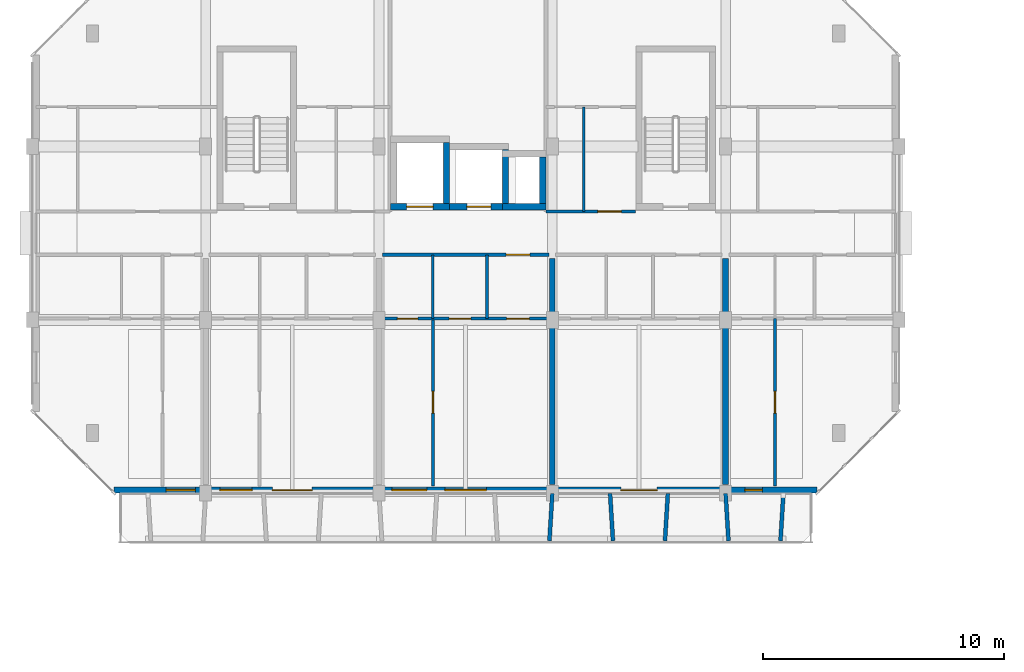
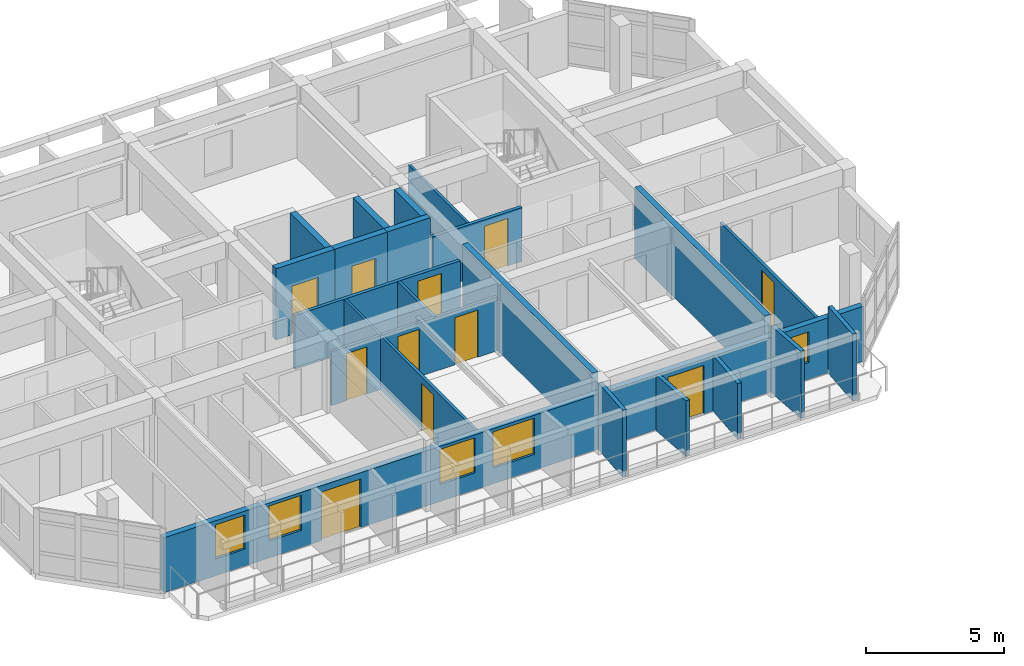
# One storey, part 32 of 64: 22 walls, 11 doors, 5 windows, 16 openings.
"""IFC4 building model written with IfcOpenShell, lengths in metres."""

from ifc_helpers import new_model, si_unit, direction, frame, frame_2d, origin, place, context, subcontext, project, spatial, rectangle, extrude, material, layer, layer_set, type_object, element, fill, save


model = new_model("IFC4")

# Units and contexts
model_context = context("Model", 3, precision=1e-05, world=origin(), true_north=direction((0.0, 1.0)))
body_context = subcontext(model_context, "Body", "Model", "MODEL_VIEW")
ifc_project = project(units=[si_unit("LENGTHUNIT", "METRE"), si_unit("AREAUNIT", "SQUARE_METRE"), si_unit("VOLUMEUNIT", "CUBIC_METRE"), si_unit("PLANEANGLEUNIT", "RADIAN"), si_unit("MASSUNIT", "GRAM", prefix="KILO")], contexts=[model_context])

# Site, building, storey
site_placement = place(None, origin())
site = spatial("IfcSite", under=ifc_project, at=site_placement, CompositionType="ELEMENT")
building_placement = place(site_placement, origin())
building = spatial("IfcBuilding", under=site, at=building_placement, Name="Ochrevale Crest", CompositionType="ELEMENT")
storey_placement = place(building_placement, frame((0.0, 0.0, 8.699951171875)))
storey = spatial("IfcBuildingStorey", under=building, at=storey_placement, Name="L02", CompositionType="ELEMENT", Elevation=8.699951171875)

# Wall, opening, door
ifc_material_1 = material(Name="Gypsum plasterboard", Category="gypsum")
ifc_layer_1 = layer(ifc_material_1, 0.139892578125)
ifc_layer_set_1 = layer_set([ifc_layer_1], Name="Gypsum plasterboard")
wall_type_1 = type_object("IfcWallType", Name="WL-COR-140", PredefinedType="PARTITIONING", material=ifc_layer_set_1)
wall_1_placement = place(storey_placement, frame((14.5400390625, 24.300048828125, 0.0), z_axis=(0.0, 0.0, 1.0), x_axis=(1.0, 0.0, 0.0)))
wall_1 = element("IfcWall", 1, at=wall_1_placement, inside=storey, type_object=wall_type_1, Name="Apartment A-L02-U3 corridor wall", PredefinedType="PARTITIONING", context=body_context, shape_type="SweptSolid", body=[
    extrude(rectangle(XDim=6.919921875, YDim=0.139892578125, at=frame_2d((3.4599609375, 0.0))), origin(), (0.0, 0.0, 1.0), 2.380126953125),
])
opening_1_placement = place(wall_1_placement, frame((6.125, 0.0, 0.0), z_axis=(0.0, 0.0, 1.0), x_axis=(-1.0, 0.0, 0.0)))
opening_1 = element("IfcOpeningElement", 2, at=opening_1_placement, cuts=wall_1, Name="Opening FD01", PredefinedType="OPENING", context=body_context, shape_type="SweptSolid", body=[
    extrude(rectangle(XDim=0.97998046875, YDim=2.10009765625, at=frame_2d((0.489990234375, 1.050048828125))), frame((0.0, 0.080078125, 0.0), z_axis=(0.0, -1.0, 0.0), x_axis=(1.0, 0.0, 0.0)), (0.0, 0.0, 1.0), 0.159912109375),
])
ifc_material_2 = material(Name="Solid-core FSC hardwood", Category="wood")
door_type_1 = type_object("IfcDoorType", Name="DR-APT-950", OperationType="NOTDEFINED", PredefinedType="DOOR", material=ifc_material_2)
door_1_placement = place(opening_1_placement, origin())
door_1 = element("IfcDoor", 3, at=door_1_placement, inside=storey, type_object=door_type_1, Name="Apartment A-L02-U3 entrance door", OperationType="SINGLE_SWING_RIGHT", OverallHeight=2.10009765625, OverallWidth=0.97998046875, PredefinedType="DOOR", context=body_context, shape_type="SweptSolid", body=[
    extrude(rectangle(XDim=0.97998046875, YDim=2.10009765625, at=frame_2d((0.489990234375, 1.050048828125))), frame((0.0, 0.02490234375, 0.0), z_axis=(0.0, -1.0, 0.0), x_axis=(1.0, 0.0, 0.0)), (0.0, 0.0, 1.0), 0.050048828125),
])
fill(opening_1, door_1)

wall_2_placement = place(storey_placement, frame((21.340087890625, 26.10009765625, 0.0), z_axis=(0.0, 0.0, 1.0), x_axis=(1.0, 0.0, 0.0)))
wall_2 = element("IfcWall", 4, at=wall_2_placement, inside=storey, type_object=wall_type_1, Name="Suite A-L02-ME corridor wall", PredefinedType="PARTITIONING", context=body_context, shape_type="SweptSolid", body=[
    extrude(rectangle(XDim=3.719970703125, YDim=0.139892578125, at=frame_2d((1.85986328125, 0.0))), origin(), (0.0, 0.0, 1.0), 2.380126953125),
])
opening_2_placement = place(wall_2_placement, frame((3.131103515625, 0.0, 0.0), z_axis=(0.0, 0.0, 1.0), x_axis=(-1.0, 0.0, 0.0)))
opening_2 = element("IfcOpeningElement", 5, at=opening_2_placement, cuts=wall_2, Name="Opening FD01", PredefinedType="OPENING", context=body_context, shape_type="SweptSolid", body=[
    extrude(rectangle(XDim=0.97998046875, YDim=2.10009765625, at=frame_2d((0.489990234375, 1.050048828125))), frame((0.0, 0.080078125, 0.0), z_axis=(0.0, -1.0, 0.0), x_axis=(1.0, 0.0, 0.0)), (0.0, 0.0, 1.0), 0.159912109375),
])
door_2_placement = place(opening_2_placement, origin())
door_2 = element("IfcDoor", 6, at=door_2_placement, inside=storey, type_object=door_type_1, Name="Suite A-L02-ME entrance door", OperationType="SINGLE_SWING_RIGHT", OverallHeight=2.10009765625, OverallWidth=0.97998046875, PredefinedType="DOOR", context=body_context, shape_type="SweptSolid", body=[
    extrude(rectangle(XDim=0.97998046875, YDim=2.10009765625, at=frame_2d((0.489990234375, 1.050048828125))), frame((0.0, 0.02490234375, 0.0), z_axis=(0.0, -1.0, 0.0), x_axis=(1.0, 0.0, 0.0)), (0.0, 0.0, 1.0), 0.050048828125),
])
fill(opening_2, door_2)

ifc_material_3 = material(Name="Precast concrete C50/60", Category="concrete")
ifc_layer_2 = layer(ifc_material_3, 0.2548828125)
ifc_layer_set_2 = layer_set([ifc_layer_2], Name="Precast concrete C50/60")
wall_type_2 = type_object("IfcWallType", Name="WL-CORE-255", PredefinedType="SHEAR", material=ifc_layer_set_2)
wall_3_placement = place(storey_placement, frame((14.87255859375, 26.300048828125, 0.0), z_axis=(0.0, 0.0, 1.0), x_axis=(1.0, 0.0, 0.0)))
wall_3 = element("IfcWall", 7, at=wall_3_placement, inside=storey, type_object=wall_type_2, Name="Block A L02 Lift 1 precast shaft shear wall S", PredefinedType="SHEAR", context=body_context, shape_type="SweptSolid", body=[
    extrude(rectangle(XDim=2.454833984375, YDim=0.2548828125, at=frame_2d((1.2275390625, 0.0))), origin(), (0.0, 0.0, 1.0), 3.150146484375),
])
opening_3_placement = place(wall_3_placement, frame((0.677490234375, 0.0, 0.0)))
opening_3 = element("IfcOpeningElement", 8, at=opening_3_placement, cuts=wall_3, Name="Opening LD01", PredefinedType="OPENING", context=body_context, shape_type="SweptSolid", body=[
    extrude(rectangle(XDim=1.10009765625, YDim=2.14990234375, at=frame_2d((0.550048828125, 1.074951171875))), frame((0.0, 0.137451171875, 0.0), z_axis=(0.0, -1.0, 0.0), x_axis=(1.0, 0.0, 0.0)), (0.0, 0.0, 1.0), 0.27490234375),
])
door_type_2 = type_object("IfcDoorType", Name="DR-LIFT-1100", OperationType="NOTDEFINED", PredefinedType="DOOR", material=ifc_material_2)
door_3_placement = place(opening_3_placement, origin())
door_3 = element("IfcDoor", 9, at=door_3_placement, inside=storey, type_object=door_type_2, Name="Lift LF-A1 L02 sliding landing door", OperationType="SLIDING_TO_LEFT", OverallHeight=2.14990234375, OverallWidth=1.10009765625, PredefinedType="DOOR", context=body_context, shape_type="SweptSolid", body=[
    extrude(rectangle(XDim=1.10009765625, YDim=2.14990234375, at=frame_2d((0.550048828125, 1.074951171875))), frame((0.0, 0.02490234375, 0.0), z_axis=(0.0, -1.0, 0.0), x_axis=(1.0, 0.0, 0.0)), (0.0, 0.0, 1.0), 0.050048828125),
])
fill(opening_3, door_3)

# Wall
wall_4_placement = place(storey_placement, frame((17.199951171875, 26.427490234375, 0.0), z_axis=(0.0, 0.0, 1.0), x_axis=(0.0, 1.0, 0.0)))
element("IfcWall", 10, at=wall_4_placement, inside=storey, type_object=wall_type_2, Name="Block A L02 Lift 1 precast shaft shear wall E", PredefinedType="SHEAR", context=body_context, shape_type="SweptSolid", body=[
    extrude(rectangle(XDim=2.544921875, YDim=0.2548828125, at=frame_2d((1.2724609375, 0.0))), origin(), (0.0, 0.0, 1.0), 3.150146484375),
])

# Wall, opening, door
wall_5_placement = place(storey_placement, frame((17.322509765625, 26.300048828125, 0.0), z_axis=(0.0, 0.0, 1.0), x_axis=(1.0, 0.0, 0.0)))
wall_5 = element("IfcWall", 11, at=wall_5_placement, inside=storey, type_object=wall_type_2, Name="Block A L02 Lift 2 precast shaft shear wall S", PredefinedType="SHEAR", context=body_context, shape_type="SweptSolid", body=[
    extrude(rectangle(XDim=2.455078125, YDim=0.2548828125, at=frame_2d((1.2275390625, 0.0))), origin(), (0.0, 0.0, 1.0), 3.150146484375),
])
opening_4_placement = place(wall_5_placement, frame((0.7275390625, 0.0, 0.0)))
opening_4 = element("IfcOpeningElement", 12, at=opening_4_placement, cuts=wall_5, Name="Opening LD02", PredefinedType="OPENING", context=body_context, shape_type="SweptSolid", body=[
    extrude(rectangle(XDim=1.0, YDim=2.14990234375, at=frame_2d((0.5, 1.074951171875))), frame((0.0, 0.137451171875, 0.0), z_axis=(0.0, -1.0, 0.0), x_axis=(1.0, 0.0, 0.0)), (0.0, 0.0, 1.0), 0.27490234375),
])
door_type_3 = type_object("IfcDoorType", Name="DR-LIFT-1000", OperationType="NOTDEFINED", PredefinedType="DOOR", material=ifc_material_2)
door_4_placement = place(opening_4_placement, origin())
door_4 = element("IfcDoor", 13, at=door_4_placement, inside=storey, type_object=door_type_3, Name="Lift LP-A2 L02 sliding landing door", OperationType="SLIDING_TO_RIGHT", OverallHeight=2.14990234375, OverallWidth=1.0, PredefinedType="DOOR", context=body_context, shape_type="SweptSolid", body=[
    extrude(rectangle(XDim=1.0, YDim=2.14990234375, at=frame_2d((0.5, 1.074951171875))), frame((0.0, 0.02490234375, 0.0), z_axis=(0.0, -1.0, 0.0), x_axis=(1.0, 0.0, 0.0)), (0.0, 0.0, 1.0), 0.050048828125),
])
fill(opening_4, door_4)

# Walls
wall_6_placement = place(storey_placement, frame((19.64990234375, 26.427490234375, 0.0), z_axis=(0.0, 0.0, 1.0), x_axis=(0.0, 1.0, 0.0)))
element("IfcWall", 14, at=wall_6_placement, inside=storey, type_object=wall_type_2, Name="Block A L02 Lift 2 precast shaft shear wall E", PredefinedType="SHEAR", context=body_context, shape_type="SweptSolid", body=[
    extrude(rectangle(XDim=2.2451171875, YDim=0.2548828125, at=frame_2d((1.12255859375, 0.0))), origin(), (0.0, 0.0, 1.0), 3.150146484375),
])
wall_7_placement = place(storey_placement, frame((19.5224609375, 26.300048828125, 0.0), z_axis=(0.0, 0.0, 1.0), x_axis=(1.0, 0.0, 0.0)))
element("IfcWall", 15, at=wall_7_placement, inside=storey, type_object=wall_type_2, Name="Block A L02 services riser shaft core wall S", PredefinedType="SHEAR", context=body_context, shape_type="SweptSolid", body=[
    extrude(rectangle(XDim=1.804931640625, YDim=0.2548828125, at=frame_2d((0.90234375, 0.0))), origin(), (0.0, 0.0, 1.0), 3.150146484375),
])
wall_8_placement = place(storey_placement, frame((21.199951171875, 26.427490234375, 0.0), z_axis=(0.0, 0.0, 1.0), x_axis=(0.0, 1.0, 0.0)))
element("IfcWall", 16, at=wall_8_placement, inside=storey, type_object=wall_type_2, Name="Block A L02 services riser shaft core wall E", PredefinedType="SHEAR", context=body_context, shape_type="SweptSolid", body=[
    extrude(rectangle(XDim=1.945068359375, YDim=0.2548828125, at=frame_2d((0.97265625, 0.0))), origin(), (0.0, 0.0, 1.0), 3.150146484375),
])

# Wall, openings, doors, windows
ifc_material_4 = material(Name="Precast concrete C40/50", Category="concrete")
ifc_layer_3 = layer(ifc_material_4, 0.25)
ifc_layer_set_3 = layer_set([ifc_layer_3], Name="Precast concrete C40/50")
wall_type_3 = type_object("IfcWallType", Name="WL-EXT-GOLD-250", PredefinedType="SOLIDWALL", material=ifc_layer_set_3)
wall_9_placement = place(storey_placement, frame((3.39990234375, 14.52490234375, 0.0), z_axis=(0.0, 0.0, 1.0), x_axis=(1.0, 0.0, 0.0)))
wall_9 = element("IfcWall", 17, at=wall_9_placement, inside=storey, type_object=wall_type_3, Name="Block A L02 external facade wall E1", PredefinedType="SOLIDWALL", context=body_context, shape_type="SweptSolid", body=[
    extrude(rectangle(XDim=29.2001953125, YDim=0.25, at=frame_2d((14.60009765625, 0.0))), origin(), (0.0, 0.0, 1.0), 2.429931640625),
])
opening_5_placement = place(wall_9_placement, frame((8.224853515625, 0.0, 0.0), z_axis=(0.0, 0.0, 1.0), x_axis=(-1.0, 0.0, 0.0)))
opening_5 = element("IfcOpeningElement", 18, at=opening_5_placement, cuts=wall_9, Name="Opening BD02", PredefinedType="OPENING", context=body_context, shape_type="SweptSolid", body=[
    extrude(rectangle(XDim=1.64990234375, YDim=2.14990234375, at=frame_2d((0.824951171875, 1.074951171875))), frame((0.0, 0.135009765625, 0.0), z_axis=(0.0, -1.0, 0.0), x_axis=(1.0, 0.0, 0.0)), (0.0, 0.0, 1.0), 0.27001953125),
])
opening_6_placement = place(wall_9_placement, frame((22.550048828125, 0.0, 0.0), z_axis=(0.0, 0.0, 1.0), x_axis=(-1.0, 0.0, 0.0)))
opening_6 = element("IfcOpeningElement", 19, at=opening_6_placement, cuts=wall_9, Name="Opening BD01", PredefinedType="OPENING", context=body_context, shape_type="SweptSolid", body=[
    extrude(rectangle(XDim=1.5, YDim=2.14990234375, at=frame_2d((0.75, 1.074951171875))), frame((0.0, 0.135009765625, 0.0), z_axis=(0.0, -1.0, 0.0), x_axis=(1.0, 0.0, 0.0)), (0.0, 0.0, 1.0), 0.27001953125),
])
opening_7_placement = place(wall_9_placement, frame((2.155029296875, 0.0, 0.75)))
opening_7 = element("IfcOpeningElement", 20, at=opening_7_placement, cuts=wall_9, Name="Opening W06", PredefinedType="OPENING", context=body_context, shape_type="SweptSolid", body=[
    extrude(rectangle(XDim=1.219970703125, YDim=1.5, at=frame_2d((0.60986328125, 0.75))), frame((0.0, 0.135009765625, 0.0), z_axis=(0.0, -1.0, 0.0), x_axis=(1.0, 0.0, 0.0)), (0.0, 0.0, 1.0), 0.27001953125),
])
opening_8_placement = place(wall_9_placement, frame((4.389892578125, 0.0, 0.75)))
opening_8 = element("IfcOpeningElement", 21, at=opening_8_placement, cuts=wall_9, Name="Opening W07", PredefinedType="OPENING", context=body_context, shape_type="SweptSolid", body=[
    extrude(rectangle(XDim=1.340087890625, YDim=1.550048828125, at=frame_2d((0.669921875, 0.77490234375))), frame((0.0, 0.135009765625, 0.0), z_axis=(0.0, -1.0, 0.0), x_axis=(1.0, 0.0, 0.0)), (0.0, 0.0, 1.0), 0.27001953125),
])
opening_9_placement = place(wall_9_placement, frame((11.530029296875, 0.0, 0.75)))
opening_9 = element("IfcOpeningElement", 22, at=opening_9_placement, cuts=wall_9, Name="Opening W08", PredefinedType="OPENING", context=body_context, shape_type="SweptSolid", body=[
    extrude(rectangle(XDim=1.4599609375, YDim=1.550048828125, at=frame_2d((0.72998046875, 0.77490234375))), frame((0.0, 0.135009765625, 0.0), z_axis=(0.0, -1.0, 0.0), x_axis=(1.0, 0.0, 0.0)), (0.0, 0.0, 1.0), 0.27001953125),
])
opening_10_placement = place(wall_9_placement, frame((13.739990234375, 0.0, 0.699951171875)))
opening_10 = element("IfcOpeningElement", 23, at=opening_10_placement, cuts=wall_9, Name="Opening W10", PredefinedType="OPENING", context=body_context, shape_type="SweptSolid", body=[
    extrude(rectangle(XDim=1.719970703125, YDim=1.60009765625, at=frame_2d((0.85986328125, 0.800048828125))), frame((0.0, 0.135009765625, 0.0), z_axis=(0.0, -1.0, 0.0), x_axis=(1.0, 0.0, 0.0)), (0.0, 0.0, 1.0), 0.27001953125),
])
opening_11_placement = place(wall_9_placement, frame((26.205078125, 0.0, 0.75)))
opening_11 = element("IfcOpeningElement", 24, at=opening_11_placement, cuts=wall_9, Name="Opening W02", PredefinedType="OPENING", context=body_context, shape_type="SweptSolid", body=[
    extrude(rectangle(XDim=0.719970703125, YDim=1.35009765625, at=frame_2d((0.35986328125, 0.675048828125))), frame((0.0, 0.135009765625, 0.0), z_axis=(0.0, -1.0, 0.0), x_axis=(1.0, 0.0, 0.0)), (0.0, 0.0, 1.0), 0.27001953125),
])
ifc_material_5 = material(Name="Anodised aluminium 6063-T5 and toughened glass", Category="aluminium")
door_type_4 = type_object("IfcDoorType", Name="DR-BAL-1500", OperationType="NOTDEFINED", PredefinedType="DOOR", material=ifc_material_5)
door_5_placement = place(opening_6_placement, origin())
door_5 = element("IfcDoor", 25, at=door_5_placement, inside=storey, type_object=door_type_4, Name="Block A L02 balcony door S4", OperationType="SINGLE_SWING_RIGHT", OverallHeight=2.14990234375, OverallWidth=1.5, PredefinedType="DOOR", context=body_context, shape_type="SweptSolid", body=[
    extrude(rectangle(XDim=1.5, YDim=2.14990234375, at=frame_2d((0.75, 1.074951171875))), frame((0.0, 0.02490234375, 0.0), z_axis=(0.0, -1.0, 0.0), x_axis=(1.0, 0.0, 0.0)), (0.0, 0.0, 1.0), 0.050048828125),
])
fill(opening_6, door_5)
door_type_5 = type_object("IfcDoorType", Name="DR-BAL-1650", OperationType="NOTDEFINED", PredefinedType="DOOR", material=ifc_material_5)
door_6_placement = place(opening_5_placement, origin())
door_6 = element("IfcDoor", 26, at=door_6_placement, inside=storey, type_object=door_type_5, Name="Block A L02 balcony door S2", OperationType="SINGLE_SWING_LEFT", OverallHeight=2.14990234375, OverallWidth=1.64990234375, PredefinedType="DOOR", context=body_context, shape_type="SweptSolid", body=[
    extrude(rectangle(XDim=1.64990234375, YDim=2.14990234375, at=frame_2d((0.824951171875, 1.074951171875))), frame((0.0, 0.02490234375, 0.0), z_axis=(0.0, -1.0, 0.0), x_axis=(1.0, 0.0, 0.0)), (0.0, 0.0, 1.0), 0.050048828125),
])
fill(opening_5, door_6)
ifc_material_6 = material(Name="Anodised aluminium 6063-T5 and low-E double glazing", Category="aluminium")
window_type_1 = type_object("IfcWindowType", Name="WIN-W02", PartitioningType="SINGLE_PANEL", PredefinedType="WINDOW", material=ifc_material_6)
window_1_placement = place(opening_11_placement, origin())
window_1 = element("IfcWindow", 27, at=window_1_placement, inside=storey, type_object=window_type_1, Name="Block A L02 Apartment A-L02-U5 Master Bedroom window", OverallHeight=1.35009765625, OverallWidth=0.719970703125, PartitioningType="SINGLE_PANEL", PredefinedType="WINDOW", context=body_context, shape_type="SweptSolid", body=[
    extrude(rectangle(XDim=0.719970703125, YDim=1.35009765625, at=frame_2d((0.35986328125, 0.675048828125))), frame((0.0, 0.030029296875, 0.0), z_axis=(0.0, -1.0, 0.0), x_axis=(1.0, 0.0, 0.0)), (0.0, 0.0, 1.0), 0.06005859375),
])
fill(opening_11, window_1)
window_type_2 = type_object("IfcWindowType", Name="WIN-W06", PartitioningType="SINGLE_PANEL", PredefinedType="WINDOW", material=ifc_material_6)
window_2_placement = place(opening_7_placement, origin())
window_2 = element("IfcWindow", 28, at=window_2_placement, inside=storey, type_object=window_type_2, Name="Block A L02 Apartment A-L02-U1 One Bedroom Living Room window", OverallHeight=1.5, OverallWidth=1.219970703125, PartitioningType="SINGLE_PANEL", PredefinedType="WINDOW", context=body_context, shape_type="SweptSolid", body=[
    extrude(rectangle(XDim=1.219970703125, YDim=1.5, at=frame_2d((0.60986328125, 0.75))), frame((0.0, 0.030029296875, 0.0), z_axis=(0.0, -1.0, 0.0), x_axis=(1.0, 0.0, 0.0)), (0.0, 0.0, 1.0), 0.06005859375),
])
fill(opening_7, window_2)
window_type_3 = type_object("IfcWindowType", Name="WIN-W07", PartitioningType="SINGLE_PANEL", PredefinedType="WINDOW", material=ifc_material_6)
window_3_placement = place(opening_8_placement, origin())
window_3 = element("IfcWindow", 29, at=window_3_placement, inside=storey, type_object=window_type_3, Name="Block A L02 Apartment A-L02-U2 Master Bedroom window", OverallHeight=1.550048828125, OverallWidth=1.340087890625, PartitioningType="SINGLE_PANEL", PredefinedType="WINDOW", context=body_context, shape_type="SweptSolid", body=[
    extrude(rectangle(XDim=1.340087890625, YDim=1.550048828125, at=frame_2d((0.669921875, 0.77490234375))), frame((0.0, 0.030029296875, 0.0), z_axis=(0.0, -1.0, 0.0), x_axis=(1.0, 0.0, 0.0)), (0.0, 0.0, 1.0), 0.06005859375),
])
fill(opening_8, window_3)
window_type_4 = type_object("IfcWindowType", Name="WIN-W08", PartitioningType="SINGLE_PANEL", PredefinedType="WINDOW", material=ifc_material_6)
window_4_placement = place(opening_9_placement, origin())
window_4 = element("IfcWindow", 30, at=window_4_placement, inside=storey, type_object=window_type_4, Name="Block A L02 Apartment A-L02-U3 Twin Bedroom window", OverallHeight=1.550048828125, OverallWidth=1.4599609375, PartitioningType="SINGLE_PANEL", PredefinedType="WINDOW", context=body_context, shape_type="SweptSolid", body=[
    extrude(rectangle(XDim=1.4599609375, YDim=1.550048828125, at=frame_2d((0.72998046875, 0.77490234375))), frame((0.0, 0.030029296875, 0.0), z_axis=(0.0, -1.0, 0.0), x_axis=(1.0, 0.0, 0.0)), (0.0, 0.0, 1.0), 0.06005859375),
])
fill(opening_9, window_4)
window_type_5 = type_object("IfcWindowType", Name="WIN-W10", PartitioningType="SINGLE_PANEL", PredefinedType="WINDOW", material=ifc_material_6)
window_5_placement = place(opening_10_placement, origin())
window_5 = element("IfcWindow", 31, at=window_5_placement, inside=storey, type_object=window_type_5, Name="Block A L02 Apartment A-L02-U3 Three Bedroom Family Living window", OverallHeight=1.60009765625, OverallWidth=1.719970703125, PartitioningType="SINGLE_PANEL", PredefinedType="WINDOW", context=body_context, shape_type="SweptSolid", body=[
    extrude(rectangle(XDim=1.719970703125, YDim=1.60009765625, at=frame_2d((0.85986328125, 0.800048828125))), frame((0.0, 0.030029296875, 0.0), z_axis=(0.0, -1.0, 0.0), x_axis=(1.0, 0.0, 0.0)), (0.0, 0.0, 1.0), 0.06005859375),
])
fill(opening_10, window_5)

# Walls
ifc_layer_4 = layer(ifc_material_4, 0.1650390625)
ifc_layer_set_4 = layer_set([ifc_layer_4], Name="Precast concrete C40/50")
wall_type_4 = type_object("IfcWallType", Name="WL-HC-CHEEK-165", PredefinedType="ELEMENTEDWALL", material=ifc_layer_set_4)
wall_10_placement = place(storey_placement, frame((21.60009765625, 14.3798828125, 0.0), z_axis=(0.0, 0.0, 1.0), x_axis=(-0.061170732449, -0.998127317276, 0.0)))
element("IfcWall", 32, at=wall_10_placement, inside=storey, type_object=wall_type_4, Name="Block A L02 S precast honeycomb cheek 8", PredefinedType="ELEMENTEDWALL", context=body_context, shape_type="SweptSolid", body=[
    extrude(rectangle(XDim=1.963623046875, YDim=0.1650390625, at=frame_2d((0.98193359375, 0.0))), origin(), (0.0, 0.0, 1.0), 2.949951171875),
])
for number, where, z_axis, x_axis, name in (
    (33, (24.0, 14.3798828125, 0.0), (0.0, 0.0, 1.0), (0.061170732449, -0.998127317276, 0.0), "Block A L02 S precast honeycomb cheek 9"),
    (34, (26.39990234375, 14.3798828125, 0.0), (0.0, 0.0, 1.0), (-0.061046865508, -0.998134900808, 0.0), "Block A L02 S precast honeycomb cheek 10"),
):
    element("IfcWall", number, at=place(storey_placement, frame(where, z_axis=z_axis, x_axis=x_axis)), inside=storey, type_object=wall_type_4, Name=name, PredefinedType="ELEMENTEDWALL", context=body_context, shape_type="SweptSolid", body=[
        extrude(rectangle(XDim=1.963623046875, YDim=0.1650390625, at=frame_2d((0.98193359375, 0.0))), origin(), (0.0, 0.0, 1.0), 2.449951171875),
    ])
for number, where, z_axis, x_axis, name in (
    (35, (28.800048828125, 14.3798828125, 0.0), (0.0, 0.0, 1.0), (0.061046865508, -0.998134900808, 0.0), "Block A L02 S precast honeycomb cheek 11"),
    (36, (31.199951171875, 14.3798828125, 0.0), (0.0, 0.0, 1.0), (-0.061046865508, -0.998134900808, 0.0), "Block A L02 S precast honeycomb cheek 12"),
):
    element("IfcWall", number, at=place(storey_placement, frame(where, z_axis=z_axis, x_axis=x_axis)), inside=storey, type_object=wall_type_4, Name=name, PredefinedType="ELEMENTEDWALL", context=body_context, shape_type="SweptSolid", body=[
        extrude(rectangle(XDim=1.963623046875, YDim=0.1650390625, at=frame_2d((0.98193359375, 0.0))), origin(), (0.0, 0.0, 1.0), 2.949951171875),
    ])
ifc_layer_5 = layer(ifc_material_1, 0.1201171875)
ifc_layer_set_5 = layer_set([ifc_layer_5], Name="Gypsum plasterboard")
wall_type_5 = type_object("IfcWallType", Name="WL-PART-120", PredefinedType="PARTITIONING", material=ifc_layer_set_5)
wall_11_placement = place(storey_placement, frame((18.889892578125, 21.64990234375, 0.0), z_axis=(0.0, 0.0, 1.0), x_axis=(0.0, 1.0, 0.0)))
element("IfcWall", 37, at=wall_11_placement, inside=storey, type_object=wall_type_5, Name="Apartment A-L02-U3 kitchen-foyer wall", PredefinedType="PARTITIONING", context=body_context, shape_type="SweptSolid", body=[
    extrude(rectangle(XDim=2.650146484375, YDim=0.1201171875, at=frame_2d((1.3251953125, 0.0))), origin(), (0.0, 0.0, 1.0), 2.375),
])

# Wall, openings, doors
wall_12_placement = place(storey_placement, frame((14.5400390625, 21.64990234375, 0.0), z_axis=(0.0, 0.0, 1.0), x_axis=(1.0, 0.0, 0.0)))
wall_12 = element("IfcWall", 38, at=wall_12_placement, inside=storey, type_object=wall_type_5, Name="Apartment A-L02-U3 central partition", PredefinedType="PARTITIONING", context=body_context, shape_type="SweptSolid", body=[
    extrude(rectangle(XDim=6.919921875, YDim=0.1201171875, at=frame_2d((3.4599609375, 0.0))), origin(), (0.0, 0.0, 1.0), 2.375),
])
opening_12_placement = place(wall_12_placement, frame((0.625, 0.0, 0.0)))
opening_12 = element("IfcOpeningElement", 39, at=opening_12_placement, cuts=wall_12, Name="Opening ID01", PredefinedType="OPENING", context=body_context, shape_type="SweptSolid", body=[
    extrude(rectangle(XDim=0.85009765625, YDim=2.080078125, at=frame_2d((0.425048828125, 1.0400390625))), frame((0.0, 0.070068359375, 0.0), z_axis=(0.0, -1.0, 0.0), x_axis=(1.0, 0.0, 0.0)), (0.0, 0.0, 1.0), 0.14013671875),
])
opening_13_placement = place(wall_12_placement, frame((3.6748046875, 0.0, 0.0), z_axis=(0.0, 0.0, 1.0), x_axis=(-1.0, 0.0, 0.0)))
opening_13 = element("IfcOpeningElement", 40, at=opening_13_placement, cuts=wall_12, Name="Opening ID02", PredefinedType="OPENING", context=body_context, shape_type="SweptSolid", body=[
    extrude(rectangle(XDim=0.89990234375, YDim=2.080078125, at=frame_2d((0.449951171875, 1.0400390625))), frame((0.0, 0.070068359375, 0.0), z_axis=(0.0, -1.0, 0.0), x_axis=(1.0, 0.0, 0.0)), (0.0, 0.0, 1.0), 0.14013671875),
])
opening_14_placement = place(wall_12_placement, frame((5.159912109375, 0.0, 0.0)))
opening_14 = element("IfcOpeningElement", 41, at=opening_14_placement, cuts=wall_12, Name="Opening ID06", PredefinedType="OPENING", context=body_context, shape_type="SweptSolid", body=[
    extrude(rectangle(XDim=0.949951171875, YDim=2.080078125, at=frame_2d((0.47509765625, 1.0400390625))), frame((0.0, 0.070068359375, 0.0), z_axis=(0.0, -1.0, 0.0), x_axis=(1.0, 0.0, 0.0)), (0.0, 0.0, 1.0), 0.14013671875),
])
door_type_6 = type_object("IfcDoorType", Name="DR-INT-900", OperationType="NOTDEFINED", PredefinedType="DOOR", material=ifc_material_2)
door_7_placement = place(opening_13_placement, origin())
door_7 = element("IfcDoor", 42, at=door_7_placement, inside=storey, type_object=door_type_6, Name="Apartment A-L02-U3 Kitchen door", OperationType="SINGLE_SWING_RIGHT", OverallHeight=2.080078125, OverallWidth=0.89990234375, PredefinedType="DOOR", context=body_context, shape_type="SweptSolid", body=[
    extrude(rectangle(XDim=0.89990234375, YDim=2.080078125, at=frame_2d((0.449951171875, 1.0400390625))), frame((0.0, 0.02490234375, 0.0), z_axis=(0.0, -1.0, 0.0), x_axis=(1.0, 0.0, 0.0)), (0.0, 0.0, 1.0), 0.050048828125),
])
fill(opening_13, door_7)
door_type_7 = type_object("IfcDoorType", Name="DR-INT-950", OperationType="NOTDEFINED", PredefinedType="DOOR", material=ifc_material_2)
door_8_placement = place(opening_14_placement, origin())
door_8 = element("IfcDoor", 43, at=door_8_placement, inside=storey, type_object=door_type_7, Name="Apartment A-L02-U3 Living Foyer door", OperationType="SINGLE_SWING_LEFT", OverallHeight=2.080078125, OverallWidth=0.949951171875, PredefinedType="DOOR", context=body_context, shape_type="SweptSolid", body=[
    extrude(rectangle(XDim=0.949951171875, YDim=2.080078125, at=frame_2d((0.47509765625, 1.0400390625))), frame((0.0, 0.02490234375, 0.0), z_axis=(0.0, -1.0, 0.0), x_axis=(1.0, 0.0, 0.0)), (0.0, 0.0, 1.0), 0.050048828125),
])
fill(opening_14, door_8)
door_type_8 = type_object("IfcDoorType", Name="DR-WC-850", OperationType="NOTDEFINED", PredefinedType="DOOR", material=ifc_material_2)
door_9_placement = place(opening_12_placement, origin())
door_9 = element("IfcDoor", 44, at=door_9_placement, inside=storey, type_object=door_type_8, Name="Apartment A-L02-U3 Bathroom door", OperationType="SINGLE_SWING_LEFT", OverallHeight=2.080078125, OverallWidth=0.85009765625, PredefinedType="DOOR", context=body_context, shape_type="SweptSolid", body=[
    extrude(rectangle(XDim=0.85009765625, YDim=2.080078125, at=frame_2d((0.425048828125, 1.0400390625))), frame((0.0, 0.02490234375, 0.0), z_axis=(0.0, -1.0, 0.0), x_axis=(1.0, 0.0, 0.0)), (0.0, 0.0, 1.0), 0.050048828125),
])
fill(opening_12, door_9)

# Wall, opening, door
wall_13_placement = place(storey_placement, frame((16.639892578125, 14.699951171875, 0.0), z_axis=(0.0, 0.0, 1.0), x_axis=(0.0, 1.0, 0.0)))
wall_13 = element("IfcWall", 45, at=wall_13_placement, inside=storey, type_object=wall_type_5, Name="Apartment A-L02-U3 bedroom partition", PredefinedType="PARTITIONING", context=body_context, shape_type="SweptSolid", body=[
    extrude(rectangle(XDim=6.949951171875, YDim=0.1201171875, at=frame_2d((3.47509765625, 0.0))), origin(), (0.0, 0.0, 1.0), 2.375),
])
opening_15_placement = place(wall_13_placement, frame((3.9248046875, 0.0, 0.0), z_axis=(0.0, 0.0, 1.0), x_axis=(-1.0, 0.0, 0.0)))
opening_15 = element("IfcOpeningElement", 46, at=opening_15_placement, cuts=wall_13, Name="Opening ID02", PredefinedType="OPENING", context=body_context, shape_type="SweptSolid", body=[
    extrude(rectangle(XDim=0.89990234375, YDim=2.080078125, at=frame_2d((0.449951171875, 1.0400390625))), frame((0.0, 0.070068359375, 0.0), z_axis=(0.0, -1.0, 0.0), x_axis=(1.0, 0.0, 0.0)), (0.0, 0.0, 1.0), 0.14013671875),
])
door_10_placement = place(opening_15_placement, origin())
door_10 = element("IfcDoor", 47, at=door_10_placement, inside=storey, type_object=door_type_6, Name="Apartment A-L02-U3 Twin Bedroom door", OperationType="SINGLE_SWING_RIGHT", OverallHeight=2.080078125, OverallWidth=0.89990234375, PredefinedType="DOOR", context=body_context, shape_type="SweptSolid", body=[
    extrude(rectangle(XDim=0.89990234375, YDim=2.080078125, at=frame_2d((0.449951171875, 1.0400390625))), frame((0.0, 0.02490234375, 0.0), z_axis=(0.0, -1.0, 0.0), x_axis=(1.0, 0.0, 0.0)), (0.0, 0.0, 1.0), 0.050048828125),
])
fill(opening_15, door_10)

wall_14_placement = place(storey_placement, frame((30.85009765625, 14.699951171875, 0.0), z_axis=(0.0, 0.0, 1.0), x_axis=(0.0, 1.0, 0.0)))
wall_14 = element("IfcWall", 48, at=wall_14_placement, inside=storey, type_object=wall_type_5, Name="Apartment A-L02-U5 bedroom partition", PredefinedType="PARTITIONING", context=body_context, shape_type="SweptSolid", body=[
    extrude(rectangle(XDim=6.949951171875, YDim=0.1201171875, at=frame_2d((3.47509765625, 0.0))), origin(), (0.0, 0.0, 1.0), 2.375),
])
opening_16_placement = place(wall_14_placement, frame((3.02490234375, 0.0, 0.0)))
opening_16 = element("IfcOpeningElement", 49, at=opening_16_placement, cuts=wall_14, Name="Opening ID02", PredefinedType="OPENING", context=body_context, shape_type="SweptSolid", body=[
    extrude(rectangle(XDim=0.89990234375, YDim=2.080078125, at=frame_2d((0.449951171875, 1.0400390625))), frame((0.0, 0.070068359375, 0.0), z_axis=(0.0, -1.0, 0.0), x_axis=(1.0, 0.0, 0.0)), (0.0, 0.0, 1.0), 0.14013671875),
])
door_11_placement = place(opening_16_placement, origin())
door_11 = element("IfcDoor", 50, at=door_11_placement, inside=storey, type_object=door_type_6, Name="Apartment A-L02-U5 Master Bedroom door", OperationType="SINGLE_SWING_LEFT", OverallHeight=2.080078125, OverallWidth=0.89990234375, PredefinedType="DOOR", context=body_context, shape_type="SweptSolid", body=[
    extrude(rectangle(XDim=0.89990234375, YDim=2.080078125, at=frame_2d((0.449951171875, 1.0400390625))), frame((0.0, 0.02490234375, 0.0), z_axis=(0.0, -1.0, 0.0), x_axis=(1.0, 0.0, 0.0)), (0.0, 0.0, 1.0), 0.050048828125),
])
fill(opening_16, door_11)

# Walls
ifc_layer_6 = layer(ifc_material_3, 0.239990234375)
ifc_layer_set_6 = layer_set([ifc_layer_6], Name="Precast concrete C50/60")
wall_type_6 = type_object("IfcWallType", Name="WL-SHEAR-240", PredefinedType="SHEAR", material=ifc_layer_set_6)
for number, where, z_axis, x_axis, name in (
    (51, (21.60009765625, 14.75, 0.0), (0.0, 0.0, 1.0), (0.0, 1.0, 0.0), "Block A L02 load-bearing precast cross-wall X=21.6"),
    (52, (28.800048828125, 14.75, 0.0), (0.0, 0.0, 1.0), (0.0, 1.0, 0.0), "Block A L02 load-bearing precast cross-wall X=28.8"),
):
    element("IfcWall", number, at=place(storey_placement, frame(where, z_axis=z_axis, x_axis=x_axis)), inside=storey, type_object=wall_type_6, Name=name, PredefinedType="SHEAR", context=body_context, shape_type="SweptSolid", body=[
        extrude(rectangle(XDim=9.39990234375, YDim=0.239990234375, at=frame_2d((4.699951171875, 0.0))), origin(), (0.0, 0.0, 1.0), 3.150146484375),
    ])
ifc_layer_7 = layer(ifc_material_1, 0.10009765625)
ifc_layer_set_7 = layer_set([ifc_layer_7], Name="Gypsum plasterboard")
wall_type_7 = type_object("IfcWallType", Name="WL-WET-100", PredefinedType="PARTITIONING", material=ifc_layer_set_7)
wall_15_placement = place(storey_placement, frame((16.639892578125, 21.64990234375, 0.0), z_axis=(0.0, 0.0, 1.0), x_axis=(0.0, 1.0, 0.0)))
element("IfcWall", 53, at=wall_15_placement, inside=storey, type_object=wall_type_7, Name="Apartment A-L02-U3 bath-kitchen wall", PredefinedType="PARTITIONING", context=body_context, shape_type="SweptSolid", body=[
    extrude(rectangle(XDim=2.650146484375, YDim=0.10009765625, at=frame_2d((1.3251953125, 0.0))), origin(), (0.0, 0.0, 1.0), 2.375),
])
wall_16_placement = place(storey_placement, frame((22.90234375, 26.10009765625, 0.0), z_axis=(0.0, 0.0, 1.0), x_axis=(0.0, 1.0, 0.0)))
element("IfcWall", 54, at=wall_16_placement, inside=storey, type_object=wall_type_7, Name="Suite A-L02-ME bathroom divider", PredefinedType="PARTITIONING", context=body_context, shape_type="SweptSolid", body=[
    extrude(rectangle(XDim=4.349853515625, YDim=0.10009765625, at=frame_2d((2.1748046875, 0.0))), origin(), (0.0, 0.0, 1.0), 2.375),
])

save(model, "model.ifc")
